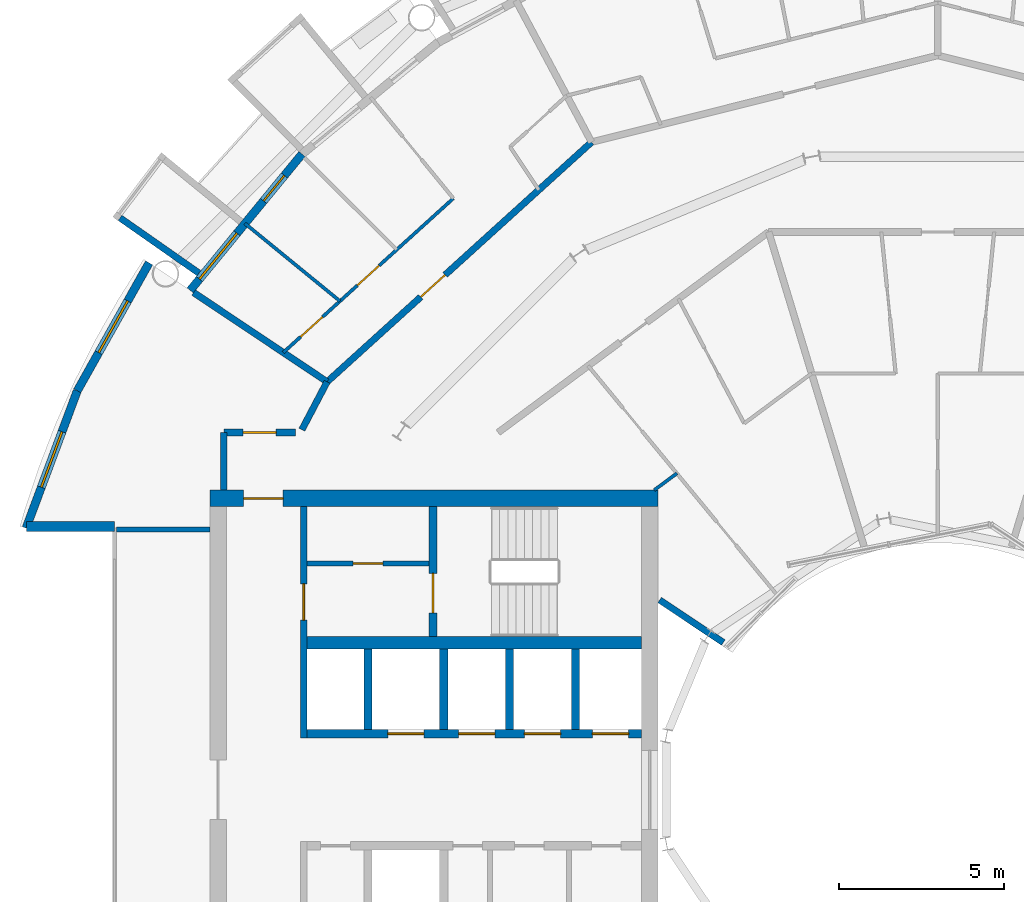
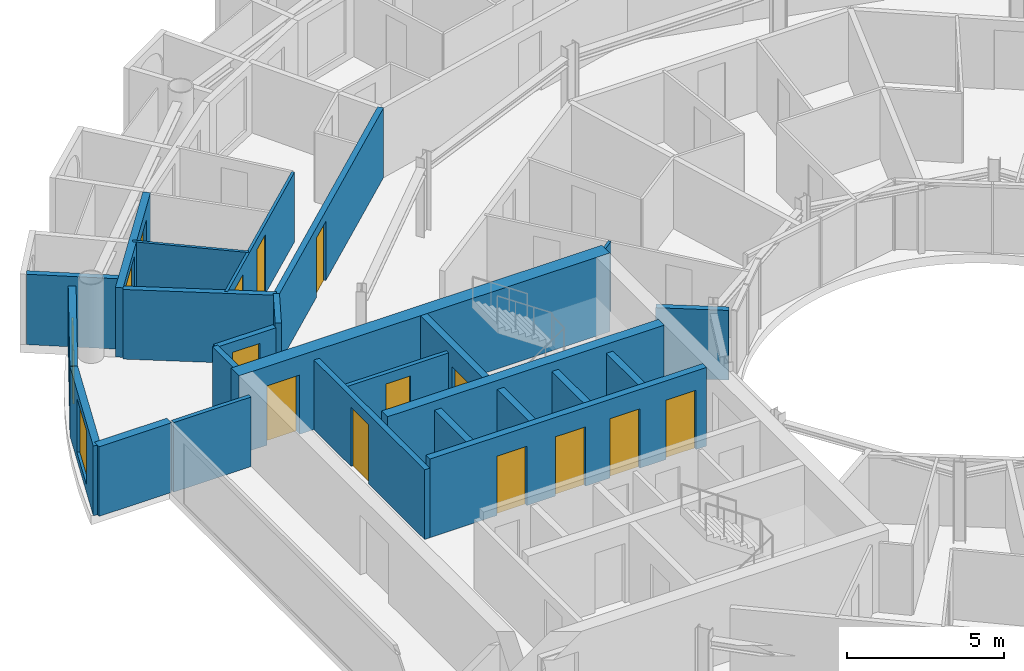
# One storey, part 19 of 26: 25 walls, 13 doors, 3 windows, 16 openings.
"""IFC4 building model written with IfcOpenShell, lengths in metres."""

from ifc_helpers import new_model, si_unit, direction, frame, frame_2d, origin, place, context, subcontext, project, spatial, rectangle, extrude, material, layer, layer_set, type_object, element, fill, save


model = new_model("IFC4")

# Units and contexts
model_context = context("Model", 3, precision=1e-05, world=origin(), true_north=direction((0.0, 1.0)))
body_context = subcontext(model_context, "Body", "Model", "MODEL_VIEW")
ifc_project = project(units=[si_unit("LENGTHUNIT", "METRE"), si_unit("AREAUNIT", "SQUARE_METRE"), si_unit("VOLUMEUNIT", "CUBIC_METRE"), si_unit("PLANEANGLEUNIT", "RADIAN"), si_unit("MASSUNIT", "GRAM", prefix="KILO")], contexts=[model_context])

# Site, building, storey
site_placement = place(None, origin())
site = spatial("IfcSite", under=ifc_project, at=site_placement, CompositionType="ELEMENT")
building_placement = place(site_placement, origin())
building = spatial("IfcBuilding", under=site, at=building_placement, Name="Maasbend Ring Residences", CompositionType="ELEMENT")
storey_placement = place(building_placement, frame((0.0, 0.0, 154.35009765625)))
storey = spatial("IfcBuildingStorey", under=building, at=storey_placement, Name="L44", CompositionType="ELEMENT", Elevation=154.35009765625)

# Wall, openings, doors
ifc_material_1 = material(Name="Concrete C60/75", Category="concrete")
ifc_layer_1 = layer(ifc_material_1, 0.25)
ifc_layer_set_1 = layer_set([ifc_layer_1], Name="Concrete C60/75")
wall_type_1 = type_object("IfcWallType", Name="CORE WALL 250 C60/75", PredefinedType="SHEAR", material=ifc_layer_set_1)
wall_1_placement = place(storey_placement, frame((-9.0, 1.699951171875, 0.0), z_axis=(0.0, 0.0, 1.0), x_axis=(-1.0, 0.0, 0.0)))
wall_1 = element("IfcWall", 1, at=wall_1_placement, inside=storey, type_object=wall_type_1, Name="L44 core W wall SPS", PredefinedType="SHEAR", context=body_context, shape_type="SweptSolid", body=[
    extrude(rectangle(XDim=10.14990234375, YDim=0.25, at=frame_2d((5.074951171875, 0.0))), origin(), (0.0, 0.0, 1.0), 3.0498046875),
])
opening_1_placement = place(wall_1_placement, frame((0.387451171875, 0.0, 0.0)))
opening_1 = element("IfcOpeningElement", 2, at=opening_1_placement, cuts=wall_1, Name="Opening LD-W4402", PredefinedType="OPENING", context=body_context, shape_type="SweptSolid", body=[
    extrude(rectangle(XDim=1.10009765625, YDim=2.300048828125, at=frame_2d((0.550048828125, 1.14990234375))), frame((0.0, 0.135009765625, 0.0), z_axis=(0.0, -1.0, 0.0), x_axis=(1.0, 0.0, 0.0)), (0.0, 0.0, 1.0), 0.27001953125),
])
opening_2_placement = place(wall_1_placement, frame((2.449951171875, 0.0, 0.0)))
opening_2 = element("IfcOpeningElement", 3, at=opening_2_placement, cuts=wall_1, Name="Opening LD-W4403", PredefinedType="OPENING", context=body_context, shape_type="SweptSolid", body=[
    extrude(rectangle(XDim=1.10009765625, YDim=2.300048828125, at=frame_2d((0.550048828125, 1.14990234375))), frame((0.0, 0.135009765625, 0.0), z_axis=(0.0, -1.0, 0.0), x_axis=(1.0, 0.0, 0.0)), (0.0, 0.0, 1.0), 0.27001953125),
])
opening_3_placement = place(wall_1_placement, frame((4.449951171875, 0.0, 0.0)))
opening_3 = element("IfcOpeningElement", 4, at=opening_3_placement, cuts=wall_1, Name="Opening LD-W4404", PredefinedType="OPENING", context=body_context, shape_type="SweptSolid", body=[
    extrude(rectangle(XDim=1.10009765625, YDim=2.300048828125, at=frame_2d((0.550048828125, 1.14990234375))), frame((0.0, 0.135009765625, 0.0), z_axis=(0.0, -1.0, 0.0), x_axis=(1.0, 0.0, 0.0)), (0.0, 0.0, 1.0), 0.27001953125),
])
opening_4_placement = place(wall_1_placement, frame((6.60009765625, 0.0, 0.0)))
opening_4 = element("IfcOpeningElement", 5, at=opening_4_placement, cuts=wall_1, Name="Opening LD-W4405", PredefinedType="OPENING", context=body_context, shape_type="SweptSolid", body=[
    extrude(rectangle(XDim=1.10009765625, YDim=2.300048828125, at=frame_2d((0.550048828125, 1.14990234375))), frame((0.0, 0.135009765625, 0.0), z_axis=(0.0, -1.0, 0.0), x_axis=(1.0, 0.0, 0.0)), (0.0, 0.0, 1.0), 0.27001953125),
])
ifc_material_2 = material(Name="Stainless steel 316", Category="steel")
door_type_1 = type_object("IfcDoorType", Name="LANDING DOOR 1100 X 2300 FD60", OperationType="DOUBLE_DOOR_SLIDING", PredefinedType="DOOR", material=ifc_material_2)
door_1_placement = place(opening_1_placement, origin())
door_1 = element("IfcDoor", 6, at=door_1_placement, inside=storey, type_object=door_type_1, Name="Landing door HR-W1 L44", OperationType="DOUBLE_DOOR_SLIDING", OverallHeight=2.300048828125, OverallWidth=1.10009765625, PredefinedType="DOOR", context=body_context, shape_type="SweptSolid", body=[
    extrude(rectangle(XDim=1.10009765625, YDim=2.300048828125, at=frame_2d((0.550048828125, 1.14990234375))), frame((0.0, 0.02490234375, 0.0), z_axis=(0.0, -1.0, 0.0), x_axis=(1.0, 0.0, 0.0)), (0.0, 0.0, 1.0), 0.050048828125),
])
fill(opening_1, door_1)
door_2_placement = place(opening_2_placement, origin())
door_2 = element("IfcDoor", 7, at=door_2_placement, inside=storey, type_object=door_type_1, Name="Landing door HR-W2 L44", OperationType="DOUBLE_DOOR_SLIDING", OverallHeight=2.300048828125, OverallWidth=1.10009765625, PredefinedType="DOOR", context=body_context, shape_type="SweptSolid", body=[
    extrude(rectangle(XDim=1.10009765625, YDim=2.300048828125, at=frame_2d((0.550048828125, 1.14990234375))), frame((0.0, 0.02490234375, 0.0), z_axis=(0.0, -1.0, 0.0), x_axis=(1.0, 0.0, 0.0)), (0.0, 0.0, 1.0), 0.050048828125),
])
fill(opening_2, door_2)
door_3_placement = place(opening_3_placement, origin())
door_3 = element("IfcDoor", 8, at=door_3_placement, inside=storey, type_object=door_type_1, Name="Landing door HR-W3 L44", OperationType="DOUBLE_DOOR_SLIDING", OverallHeight=2.300048828125, OverallWidth=1.10009765625, PredefinedType="DOOR", context=body_context, shape_type="SweptSolid", body=[
    extrude(rectangle(XDim=1.10009765625, YDim=2.300048828125, at=frame_2d((0.550048828125, 1.14990234375))), frame((0.0, 0.02490234375, 0.0), z_axis=(0.0, -1.0, 0.0), x_axis=(1.0, 0.0, 0.0)), (0.0, 0.0, 1.0), 0.050048828125),
])
fill(opening_3, door_3)
door_4_placement = place(opening_4_placement, origin())
door_4 = element("IfcDoor", 9, at=door_4_placement, inside=storey, type_object=door_type_1, Name="Landing door SV-W L44", OperationType="DOUBLE_DOOR_SLIDING", OverallHeight=2.300048828125, OverallWidth=1.10009765625, PredefinedType="DOOR", context=body_context, shape_type="SweptSolid", body=[
    extrude(rectangle(XDim=1.10009765625, YDim=2.300048828125, at=frame_2d((0.550048828125, 1.14990234375))), frame((0.0, 0.02490234375, 0.0), z_axis=(0.0, -1.0, 0.0), x_axis=(1.0, 0.0, 0.0)), (0.0, 0.0, 1.0), 0.050048828125),
])
fill(opening_4, door_4)

# Wall, opening, door
wall_2_placement = place(storey_placement, frame((-15.324951171875, 8.60009765625, 0.0), z_axis=(0.0, 0.0, 1.0), x_axis=(0.0, -1.0, 0.0)))
wall_2 = element("IfcWall", 10, at=wall_2_placement, inside=storey, type_object=wall_type_1, Name="L44 core W wall STES", PredefinedType="SHEAR", context=body_context, shape_type="SweptSolid", body=[
    extrude(rectangle(XDim=3.9501953125, YDim=0.25, at=frame_2d((1.97509765625, 0.0))), origin(), (0.0, 0.0, 1.0), 3.0498046875),
])
opening_5_placement = place(wall_2_placement, frame((2.02490234375, 0.0, 0.0)))
opening_5 = element("IfcOpeningElement", 11, at=opening_5_placement, cuts=wall_2, Name="Opening D-W4412", PredefinedType="OPENING", context=body_context, shape_type="SweptSolid", body=[
    extrude(rectangle(XDim=1.199951171875, YDim=2.300048828125, at=frame_2d((0.60009765625, 1.14990234375))), frame((0.0, 0.135009765625, 0.0), z_axis=(0.0, -1.0, 0.0), x_axis=(1.0, 0.0, 0.0)), (0.0, 0.0, 1.0), 0.27001953125),
])
ifc_material_3 = material(Name="Steel, powder coated", Category="steel")
door_type_2 = type_object("IfcDoorType", Name="STAIR DOOR 1200 X 2300 FD60", OperationType="NOTDEFINED", PredefinedType="DOOR", material=ifc_material_3)
door_5_placement = place(opening_5_placement, origin())
door_5 = element("IfcDoor", 12, at=door_5_placement, inside=storey, type_object=door_type_2, Name="Stair door ST-W L44", OperationType="SINGLE_SWING_LEFT", OverallHeight=2.300048828125, OverallWidth=1.199951171875, PredefinedType="DOOR", context=body_context, shape_type="SweptSolid", body=[
    extrude(rectangle(XDim=1.199951171875, YDim=2.300048828125, at=frame_2d((0.60009765625, 1.14990234375))), frame((0.0, 0.02490234375, 0.0), z_axis=(0.0, -1.0, 0.0), x_axis=(1.0, 0.0, 0.0)), (0.0, 0.0, 1.0), 0.050048828125),
])
fill(opening_5, door_5)

# Wall
ifc_material_4 = material(Name="Concrete C60/75", Category="concrete")
ifc_layer_2 = layer(ifc_material_4, 0.375)
ifc_layer_set_2 = layer_set([ifc_layer_2], Name="Concrete C60/75")
wall_type_2 = type_object("IfcWallType", Name="CORE WALL 375 C60/75", PredefinedType="SHEAR", material=ifc_layer_set_2)
wall_3_placement = place(storey_placement, frame((-9.0, 4.46240234375, 0.0), z_axis=(0.0, 0.0, 1.0), x_axis=(-1.0, 0.0, 0.0)))
element("IfcWall", 13, at=wall_3_placement, inside=storey, type_object=wall_type_2, Name="L44 core W wall BS", PredefinedType="SHEAR", context=body_context, shape_type="SweptSolid", body=[
    extrude(rectangle(XDim=10.14990234375, YDim=0.375, at=frame_2d((5.074951171875, 0.0))), origin(), (0.0, 0.0, 1.0), 3.0498046875),
])

# Wall, opening, door
ifc_material_5 = material(Name="Concrete C60/75", Category="concrete")
ifc_layer_3 = layer(ifc_material_5, 0.5)
ifc_layer_set_3 = layer_set([ifc_layer_3], Name="Concrete C60/75")
wall_type_3 = type_object("IfcWallType", Name="CORE WALL 500 C60/75", PredefinedType="SHEAR", material=ifc_layer_set_3)
wall_4_placement = place(storey_placement, frame((-8.5, 8.85009765625, 0.0), z_axis=(0.0, 0.0, 1.0), x_axis=(-1.0, 0.0, 0.0)))
wall_4 = element("IfcWall", 14, at=wall_4_placement, inside=storey, type_object=wall_type_3, Name="L44 core W wall PS", PredefinedType="SHEAR", context=body_context, shape_type="SweptSolid", body=[
    extrude(rectangle(XDim=13.60009765625, YDim=0.5, at=frame_2d((6.800048828125, 0.0))), origin(), (0.0, 0.0, 1.0), 3.0498046875),
])
opening_6_placement = place(wall_4_placement, frame((11.375, 0.0, 0.0)))
opening_6 = element("IfcOpeningElement", 15, at=opening_6_placement, cuts=wall_4, Name="Opening D-W4416", PredefinedType="OPENING", context=body_context, shape_type="SweptSolid", body=[
    extrude(rectangle(XDim=1.199951171875, YDim=2.300048828125, at=frame_2d((0.60009765625, 1.14990234375))), frame((0.0, 0.260009765625, 0.0), z_axis=(0.0, -1.0, 0.0), x_axis=(1.0, 0.0, 0.0)), (0.0, 0.0, 1.0), 0.52001953125),
])
ifc_material_6 = material(Name="Steel, powder coated", Category="steel")
door_type_3 = type_object("IfcDoorType", Name="CORRIDOR DOOR 1200 X 2300 FD30S", OperationType="NOTDEFINED", PredefinedType="DOOR", material=ifc_material_6)
door_6_placement = place(opening_6_placement, origin())
door_6 = element("IfcDoor", 16, at=door_6_placement, inside=storey, type_object=door_type_3, Name="Corridor door L44", OperationType="SINGLE_SWING_LEFT", OverallHeight=2.300048828125, OverallWidth=1.199951171875, PredefinedType="DOOR", context=body_context, shape_type="SweptSolid", body=[
    extrude(rectangle(XDim=1.199951171875, YDim=2.300048828125, at=frame_2d((0.60009765625, 1.14990234375))), frame((0.0, 0.02490234375, 0.0), z_axis=(0.0, -1.0, 0.0), x_axis=(1.0, 0.0, 0.0)), (0.0, 0.0, 1.0), 0.050048828125),
])
fill(opening_6, door_6)

ifc_material_7 = material(Name="Concrete C30/37", Category="concrete")
ifc_layer_4 = layer(ifc_material_7, 0.199951171875)
ifc_layer_set_4 = layer_set([ifc_layer_4], Name="Concrete C30/37")
wall_type_4 = type_object("IfcWallType", Name="CORRIDOR WALL 200 CONCRETE", PredefinedType="PARTITIONING", material=ifc_layer_set_4)
wall_5_placement = place(storey_placement, frame((-21.675048828125, 10.85009765625, 0.0), z_axis=(0.0, 0.0, 1.0), x_axis=(1.0, 0.0, 0.0)))
wall_5 = element("IfcWall", 17, at=wall_5_placement, inside=storey, type_object=wall_type_4, Name="U-L44-w091", PredefinedType="PARTITIONING", context=body_context, shape_type="SweptSolid", body=[
    extrude(rectangle(XDim=2.171142578125, YDim=0.199951171875, at=frame_2d((1.08544921875, 0.0))), origin(), (0.0, 0.0, 1.0), 2.699951171875),
])
opening_7_placement = place(wall_5_placement, frame((0.5849609375, 0.0, 0.0)))
opening_7 = element("IfcOpeningElement", 18, at=opening_7_placement, cuts=wall_5, Name="Opening D-4465", PredefinedType="OPENING", context=body_context, shape_type="SweptSolid", body=[
    extrude(rectangle(XDim=1.0, YDim=2.300048828125, at=frame_2d((0.5, 1.14990234375))), frame((0.0, 0.10986328125, 0.0), z_axis=(0.0, -1.0, 0.0), x_axis=(1.0, 0.0, 0.0)), (0.0, 0.0, 1.0), 0.219970703125),
])
ifc_material_8 = material(Name="Timber, painted", Category="wood")
door_type_4 = type_object("IfcDoorType", Name="ROOM DOOR 1000 X 2300", OperationType="NOTDEFINED", PredefinedType="DOOR", material=ifc_material_8)
door_7_placement = place(opening_7_placement, origin())
door_7 = element("IfcDoor", 19, at=door_7_placement, inside=storey, type_object=door_type_4, Name="D-4465", OperationType="SINGLE_SWING_LEFT", OverallHeight=2.300048828125, OverallWidth=1.0, PredefinedType="DOOR", context=body_context, shape_type="SweptSolid", body=[
    extrude(rectangle(XDim=1.0, YDim=2.300048828125, at=frame_2d((0.5, 1.14990234375))), frame((0.0, 0.02490234375, 0.0), z_axis=(0.0, -1.0, 0.0), x_axis=(1.0, 0.0, 0.0)), (0.0, 0.0, 1.0), 0.050048828125),
])
fill(opening_7, door_7)

wall_6_placement = place(storey_placement, frame((-18.5439453125, 12.385009765625, 0.0), z_axis=(0.0, 0.0, 1.0), x_axis=(0.740849323054, 0.67167125927, 0.0)))
wall_6 = element("IfcWall", 20, at=wall_6_placement, inside=storey, type_object=wall_type_4, Name="U-L44-w102", PredefinedType="PARTITIONING", context=body_context, shape_type="SweptSolid", body=[
    extrude(rectangle(XDim=10.841552734375, YDim=0.199951171875, at=frame_2d((5.4208984375, 0.0))), origin(), (0.0, 0.0, 1.0), 2.699951171875),
])
opening_8_placement = place(wall_6_placement, frame((3.839111328125, 0.0, 0.0)))
opening_8 = element("IfcOpeningElement", 21, at=opening_8_placement, cuts=wall_6, Name="Opening D-4416", PredefinedType="OPENING", context=body_context, shape_type="SweptSolid", body=[
    extrude(rectangle(XDim=1.0, YDim=2.300048828125, at=frame_2d((0.5, 1.14990234375))), frame((0.0, 0.10986328125, 0.0), z_axis=(0.0, -1.0, 0.0), x_axis=(1.0, 0.0, 0.0)), (0.0, 0.0, 1.0), 0.219970703125),
])
ifc_material_9 = material(Name="Timber, fire-rated, painted", Category="wood")
door_type_5 = type_object("IfcDoorType", Name="FLAT ENTRANCE DOOR 1000 X 2300 FIRE-RATED", OperationType="NOTDEFINED", PredefinedType="DOOR", material=ifc_material_9)
door_8_placement = place(opening_8_placement, origin())
door_8 = element("IfcDoor", 22, at=door_8_placement, inside=storey, type_object=door_type_5, Name="D-4416", OperationType="SINGLE_SWING_LEFT", OverallHeight=2.300048828125, OverallWidth=1.0, PredefinedType="DOOR", context=body_context, shape_type="SweptSolid", body=[
    extrude(rectangle(XDim=1.0, YDim=2.300048828125, at=frame_2d((0.5, 1.14990234375))), frame((0.0, 0.02490234375, 0.0), z_axis=(0.0, -1.0, 0.0), x_axis=(1.0, 0.0, 0.0)), (0.0, 0.0, 1.0), 0.050048828125),
])
fill(opening_8, door_8)

# Walls
wall_7_placement = place(storey_placement, frame((-21.675048828125, 9.10009765625, 0.0), z_axis=(0.0, 0.0, 1.0), x_axis=(0.0, 1.0, 0.0)))
element("IfcWall", 23, at=wall_7_placement, inside=storey, type_object=wall_type_4, Name="U-L44-w107", PredefinedType="PARTITIONING", context=body_context, shape_type="SweptSolid", body=[
    extrude(rectangle(XDim=1.75, YDim=0.199951171875, at=frame_2d((0.875, 0.0))), origin(), (0.0, 0.0, 1.0), 2.699951171875),
])
wall_8_placement = place(storey_placement, frame((-19.306884765625, 10.93505859375, 0.0), z_axis=(0.0, 0.0, 1.0), x_axis=(0.465605550524, 0.884992356646, 0.0)))
element("IfcWall", 24, at=wall_8_placement, inside=storey, type_object=wall_type_4, Name="U-L44-w108", PredefinedType="PARTITIONING", context=body_context, shape_type="SweptSolid", body=[
    extrude(rectangle(XDim=1.642822265625, YDim=0.199951171875, at=frame_2d((0.8212890625, 0.0))), origin(), (0.0, 0.0, 1.0), 2.699951171875),
])
ifc_material_10 = material(Name="Pale anodised aluminium panel", Category="aluminium")
ifc_layer_5 = layer(ifc_material_10, 0.199951171875)
ifc_layer_set_5 = layer_set([ifc_layer_5], Name="EW-BOX")
wall_type_5 = type_object("IfcWallType", Name="EW-BOX", PredefinedType="SOLIDWALL", material=ifc_layer_set_5)
wall_9_placement = place(storey_placement, frame((-22.43310546875, 15.68798828125, -0.030029296875), z_axis=(0.0, 0.0, 1.0), x_axis=(-0.819373043115, 0.573260687834, 0.0)))
element("IfcWall", 25, at=wall_9_placement, inside=storey, type_object=wall_type_5, Name="Box side wall N20 right", PredefinedType="SOLIDWALL", context=body_context, shape_type="SweptSolid", body=[
    extrude(rectangle(XDim=2.92529296875, YDim=0.199951171875, at=frame_2d((1.462646484375, 0.0))), origin(), (0.0, 0.0, 1.0), 2.72998046875),
])

# Wall, openings, door, window
ifc_material_11 = material(Name="Aluminium clad insulated panel", Category="aluminium")
ifc_layer_6 = layer(ifc_material_11, 0.25)
ifc_layer_set_6 = layer_set([ifc_layer_6], Name="EW-GL")
wall_type_6 = type_object("IfcWallType", Name="EW-GL", PredefinedType="SOLIDWALL", material=ifc_layer_set_6)
wall_10_placement = place(storey_placement, frame((-19.303955078125, 19.303955078125, 0.0), z_axis=(0.0, 0.0, 1.0), x_axis=(-0.634382322723, -0.773019449054, 0.0)))
wall_10 = element("IfcWall", 26, at=wall_10_placement, inside=storey, type_object=wall_type_6, Name="External wall N10", PredefinedType="SOLIDWALL", context=body_context, shape_type="SweptSolid", body=[
    extrude(rectangle(XDim=5.351806640625, YDim=0.25, at=frame_2d((2.67578125, 0.0))), origin(), (0.0, 0.0, 1.0), 2.699951171875),
])
opening_9_placement = place(wall_10_placement, frame((0.841064453125, 0.0, 0.0)))
opening_9 = element("IfcOpeningElement", 27, at=opening_9_placement, cuts=wall_10, Name="Opening D-LG", PredefinedType="OPENING", context=body_context, shape_type="SweptSolid", body=[
    extrude(rectangle(XDim=1.0, YDim=2.199951171875, at=frame_2d((0.5, 1.10009765625))), frame((0.0, 0.135009765625, 0.0), z_axis=(0.0, -1.0, 0.0), x_axis=(1.0, 0.0, 0.0)), (0.0, 0.0, 1.0), 0.27001953125),
])
opening_10_placement = place(wall_10_placement, frame((3.110595703125, 0.0, 0.300048828125)))
opening_10 = element("IfcOpeningElement", 28, at=opening_10_placement, cuts=wall_10, Name="Opening W-BX", PredefinedType="OPENING", context=body_context, shape_type="SweptSolid", body=[
    extrude(rectangle(XDim=1.800048828125, YDim=2.10009765625, at=frame_2d((0.89990234375, 1.050048828125))), frame((0.0, 0.135009765625, 0.0), z_axis=(0.0, -1.0, 0.0), x_axis=(1.0, 0.0, 0.0)), (0.0, 0.0, 1.0), 0.27001953125),
])
ifc_material_12 = material(Name="Aluminium and clear glass", Category="aluminium")
door_type_6 = type_object("IfcDoorType", Name="D-LG", OperationType="SINGLE_SWING_LEFT", PredefinedType="DOOR", material=ifc_material_12)
door_9_placement = place(opening_9_placement, origin())
door_9 = element("IfcDoor", 29, at=door_9_placement, inside=storey, type_object=door_type_6, Name="Loggia door N19", OperationType="SINGLE_SWING_LEFT", OverallHeight=2.199951171875, OverallWidth=1.0, PredefinedType="DOOR", context=body_context, shape_type="SweptSolid", body=[
    extrude(rectangle(XDim=1.0, YDim=2.199951171875, at=frame_2d((0.5, 1.10009765625))), frame((0.0, 0.02490234375, 0.0), z_axis=(0.0, -1.0, 0.0), x_axis=(1.0, 0.0, 0.0)), (0.0, 0.0, 1.0), 0.050048828125),
])
fill(opening_9, door_9)
ifc_material_13 = material(Name="Aluminium and clear glass", Category="aluminium")
window_type = type_object("IfcWindowType", Name="W-BX", PartitioningType="DOUBLE_PANEL_VERTICAL", PredefinedType="WINDOW", material=ifc_material_13)
window_1_placement = place(opening_10_placement, origin())
window_1 = element("IfcWindow", 30, at=window_1_placement, inside=storey, type_object=window_type, Name="Window N20 room to box", OverallHeight=2.10009765625, OverallWidth=1.800048828125, PartitioningType="SINGLE_PANEL", PredefinedType="WINDOW", context=body_context, shape_type="SweptSolid", body=[
    extrude(rectangle(XDim=1.800048828125, YDim=2.10009765625, at=frame_2d((0.89990234375, 1.050048828125))), frame((0.0, 0.030029296875, 0.0), z_axis=(0.0, -1.0, 0.0), x_axis=(1.0, 0.0, 0.0)), (0.0, 0.0, 1.0), 0.06005859375),
])
fill(opening_10, window_1)

# Wall, opening, window
ifc_material_14 = material(Name="Aluminium clad insulated panel", Category="aluminium")
ifc_layer_7 = layer(ifc_material_14, 0.25)
ifc_layer_set_7 = layer_set([ifc_layer_7], Name="EW-HORN")
wall_type_7 = type_object("IfcWallType", Name="EW-HORN", PredefinedType="SOLIDWALL", material=ifc_layer_set_7)
wall_11_placement = place(storey_placement, frame((-23.946044921875, 16.0, 0.0), z_axis=(0.0, 0.0, 1.0), x_axis=(-0.489696356642, -0.871893042919, 0.0)))
wall_11 = element("IfcWall", 31, at=wall_11_placement, inside=storey, type_object=wall_type_7, Name="Horn wall 4.1", PredefinedType="SOLIDWALL", context=body_context, shape_type="SweptSolid", body=[
    extrude(rectangle(XDim=4.45361328125, YDim=0.25, at=frame_2d((2.226806640625, 0.0))), origin(), (0.0, 0.0, 1.0), 2.699951171875),
])
opening_11_placement = place(wall_11_placement, frame((1.32666015625, 0.0, 0.300048828125)))
opening_11 = element("IfcOpeningElement", 32, at=opening_11_placement, cuts=wall_11, Name="Opening W-BX", PredefinedType="OPENING", context=body_context, shape_type="SweptSolid", body=[
    extrude(rectangle(XDim=1.800048828125, YDim=2.10009765625, at=frame_2d((0.89990234375, 1.050048828125))), frame((0.0, 0.135009765625, 0.0), z_axis=(0.0, -1.0, 0.0), x_axis=(1.0, 0.0, 0.0)), (0.0, 0.0, 1.0), 0.27001953125),
])
window_2_placement = place(opening_11_placement, origin())
window_2 = element("IfcWindow", 33, at=window_2_placement, inside=storey, type_object=window_type, Name="Horn window 4.1", OverallHeight=2.10009765625, OverallWidth=1.800048828125, PartitioningType="SINGLE_PANEL", PredefinedType="WINDOW", context=body_context, shape_type="SweptSolid", body=[
    extrude(rectangle(XDim=1.800048828125, YDim=2.10009765625, at=frame_2d((0.89990234375, 1.050048828125))), frame((0.0, 0.030029296875, 0.0), z_axis=(0.0, -1.0, 0.0), x_axis=(1.0, 0.0, 0.0)), (0.0, 0.0, 1.0), 0.06005859375),
])
fill(opening_11, window_2)

wall_12_placement = place(storey_placement, frame((-26.126953125, 12.116943359375, 0.0), z_axis=(0.0, 0.0, 1.0), x_axis=(-0.349247811493, -0.937030397675, 0.0)))
wall_12 = element("IfcWall", 34, at=wall_12_placement, inside=storey, type_object=wall_type_7, Name="Horn wall 4.2", PredefinedType="SOLIDWALL", context=body_context, shape_type="SweptSolid", body=[
    extrude(rectangle(XDim=4.4521484375, YDim=0.25, at=frame_2d((2.22607421875, 0.0))), origin(), (0.0, 0.0, 1.0), 2.699951171875),
])
opening_12_placement = place(wall_12_placement, frame((1.32666015625, 0.0, 0.300048828125)))
opening_12 = element("IfcOpeningElement", 35, at=opening_12_placement, cuts=wall_12, Name="Opening W-BX", PredefinedType="OPENING", context=body_context, shape_type="SweptSolid", body=[
    extrude(rectangle(XDim=1.800048828125, YDim=2.10009765625, at=frame_2d((0.89990234375, 1.050048828125))), frame((0.0, 0.135009765625, 0.0), z_axis=(0.0, -1.0, 0.0), x_axis=(1.0, 0.0, 0.0)), (0.0, 0.0, 1.0), 0.27001953125),
])
window_3_placement = place(opening_12_placement, origin())
window_3 = element("IfcWindow", 36, at=window_3_placement, inside=storey, type_object=window_type, Name="Horn window 4.2", OverallHeight=2.10009765625, OverallWidth=1.800048828125, PartitioningType="SINGLE_PANEL", PredefinedType="WINDOW", context=body_context, shape_type="SweptSolid", body=[
    extrude(rectangle(XDim=1.800048828125, YDim=2.10009765625, at=frame_2d((0.89990234375, 1.050048828125))), frame((0.0, 0.030029296875, 0.0), z_axis=(0.0, -1.0, 0.0), x_axis=(1.0, 0.0, 0.0)), (0.0, 0.0, 1.0), 0.06005859375),
])
fill(opening_12, window_3)

# Walls
ifc_material_15 = material(Name="Aluminium clad insulated panel", Category="aluminium")
ifc_layer_8 = layer(ifc_material_15, 0.300048828125)
ifc_layer_set_8 = layer_set([ifc_layer_8], Name="EW-RET")
wall_type_8 = type_object("IfcWallType", Name="EW-RET", PredefinedType="SOLIDWALL", material=ifc_layer_set_8)
wall_13_placement = place(storey_placement, frame((-25.0, 8.0, 0.0), z_axis=(0.0, 0.0, 1.0), x_axis=(-1.0, 0.0, 0.0)))
element("IfcWall", 37, at=wall_13_placement, inside=storey, type_object=wall_type_8, Name="Notch return wall west north", PredefinedType="SOLIDWALL", context=body_context, shape_type="SweptSolid", body=[
    extrude(rectangle(XDim=2.6669921875, YDim=0.300048828125, at=frame_2d((1.33349609375, 0.0))), origin(), (0.0, 0.0, 1.0), 2.699951171875),
])
ifc_material_16 = material(Name="Gypsum board on steel studs", Category="steel")
ifc_layer_9 = layer(ifc_material_16, 0.10009765625)
ifc_layer_set_9 = layer_set([ifc_layer_9], Name="PARTITION 100 GYPSUM")
wall_type_9 = type_object("IfcWallType", Name="PARTITION 100 GYPSUM", PredefinedType="PARTITIONING", material=ifc_layer_set_9)
wall_14_placement = place(storey_placement, frame((-21.0400390625, 17.198974609375, 0.0), z_axis=(0.0, 0.0, 1.0), x_axis=(0.774321581607, -0.63279229472, 0.0)))
element("IfcWall", 38, at=wall_14_placement, inside=storey, type_object=wall_type_9, Name="U-L44-w037", PredefinedType="PARTITIONING", context=body_context, shape_type="SweptSolid", body=[
    extrude(rectangle(XDim=3.731201171875, YDim=0.10009765625, at=frame_2d((1.86572265625, 0.0))), origin(), (0.0, 0.0, 1.0), 2.699951171875),
])
wall_15_placement = place(storey_placement, frame((-8.60693359375, 9.10009765625, 0.0), z_axis=(0.0, 0.0, 1.0), x_axis=(0.803199066515, 0.595710718007, 0.0)))
element("IfcWall", 39, at=wall_15_placement, inside=storey, type_object=wall_type_9, Name="U-L44-w093", PredefinedType="PARTITIONING", context=body_context, shape_type="SweptSolid", body=[
    extrude(rectangle(XDim=0.857666015625, YDim=0.10009765625, at=frame_2d((0.4287109375, 0.0))), origin(), (0.0, 0.0, 1.0), 2.699951171875),
])

# Wall, openings, doors
wall_16_placement = place(storey_placement, frame((-19.8720703125, 13.278076171875, 0.0), z_axis=(0.0, 0.0, 1.0), x_axis=(0.740923753351, 0.671589153962, 0.0)))
wall_16 = element("IfcWall", 40, at=wall_16_placement, inside=storey, type_object=wall_type_9, Name="U-L44-w110", PredefinedType="PARTITIONING", context=body_context, shape_type="SweptSolid", body=[
    extrude(rectangle(XDim=6.968505859375, YDim=0.10009765625, at=frame_2d((3.484375, 0.0))), origin(), (0.0, 0.0, 1.0), 2.699951171875),
])
opening_13_placement = place(wall_16_placement, frame((3.033935546875, 0.0, 0.0)))
opening_13 = element("IfcOpeningElement", 41, at=opening_13_placement, cuts=wall_16, Name="Opening D-4419", PredefinedType="OPENING", context=body_context, shape_type="SweptSolid", body=[
    extrude(rectangle(XDim=0.89990234375, YDim=2.300048828125, at=frame_2d((0.449951171875, 1.14990234375))), frame((0.0, 0.06005859375, 0.0), z_axis=(0.0, -1.0, 0.0), x_axis=(1.0, 0.0, 0.0)), (0.0, 0.0, 1.0), 0.1201171875),
])
opening_14_placement = place(wall_16_placement, frame((0.7109375, 0.0, 0.0)))
opening_14 = element("IfcOpeningElement", 42, at=opening_14_placement, cuts=wall_16, Name="Opening D-4420", PredefinedType="OPENING", context=body_context, shape_type="SweptSolid", body=[
    extrude(rectangle(XDim=0.89990234375, YDim=2.300048828125, at=frame_2d((0.449951171875, 1.14990234375))), frame((0.0, 0.06005859375, 0.0), z_axis=(0.0, -1.0, 0.0), x_axis=(1.0, 0.0, 0.0)), (0.0, 0.0, 1.0), 0.1201171875),
])
ifc_material_17 = material(Name="Timber, painted", Category="wood")
door_type_7 = type_object("IfcDoorType", Name="INTERNAL DOOR 900 X 2300", OperationType="NOTDEFINED", PredefinedType="DOOR", material=ifc_material_17)
door_10_placement = place(opening_13_placement, origin())
door_10 = element("IfcDoor", 43, at=door_10_placement, inside=storey, type_object=door_type_7, Name="D-4419", OperationType="SINGLE_SWING_RIGHT", OverallHeight=2.300048828125, OverallWidth=0.89990234375, PredefinedType="DOOR", context=body_context, shape_type="SweptSolid", body=[
    extrude(rectangle(XDim=0.89990234375, YDim=2.300048828125, at=frame_2d((0.449951171875, 1.14990234375))), frame((0.0, 0.02490234375, 0.0), z_axis=(0.0, -1.0, 0.0), x_axis=(1.0, 0.0, 0.0)), (0.0, 0.0, 1.0), 0.050048828125),
])
fill(opening_13, door_10)
door_11_placement = place(opening_14_placement, origin())
door_11 = element("IfcDoor", 44, at=door_11_placement, inside=storey, type_object=door_type_7, Name="D-4420", OperationType="SINGLE_SWING_LEFT", OverallHeight=2.300048828125, OverallWidth=0.89990234375, PredefinedType="DOOR", context=body_context, shape_type="SweptSolid", body=[
    extrude(rectangle(XDim=0.89990234375, YDim=2.300048828125, at=frame_2d((0.449951171875, 1.14990234375))), frame((0.0, 0.02490234375, 0.0), z_axis=(0.0, -1.0, 0.0), x_axis=(1.0, 0.0, 0.0)), (0.0, 0.0, 1.0), 0.050048828125),
])
fill(opening_14, door_11)

# Wall, opening, door
ifc_material_18 = material(Name="Gypsum board on steel studs", Category="steel")
ifc_layer_10 = layer(ifc_material_18, 0.14990234375)
ifc_layer_set_10 = layer_set([ifc_layer_10], Name="PARTITION 150 EI 60")
wall_type_10 = type_object("IfcWallType", Name="PARTITION 150 EI 60", PredefinedType="PARTITIONING", material=ifc_layer_set_10)
wall_17_placement = place(storey_placement, frame((-15.449951171875, 6.875, 0.0), z_axis=(0.0, 0.0, 1.0), x_axis=(-1.0, 0.0, 0.0)))
wall_17 = element("IfcWall", 45, at=wall_17_placement, inside=storey, type_object=wall_type_10, Name="L44 core W wall RHS", PredefinedType="PARTITIONING", context=body_context, shape_type="SweptSolid", body=[
    extrude(rectangle(XDim=3.699951171875, YDim=0.14990234375, at=frame_2d((1.85009765625, 0.0))), origin(), (0.0, 0.0, 1.0), 2.699951171875),
])
opening_15_placement = place(wall_17_placement, frame((1.39990234375, 0.0, 0.0)))
opening_15 = element("IfcOpeningElement", 46, at=opening_15_placement, cuts=wall_17, Name="Opening D-W4410", PredefinedType="OPENING", context=body_context, shape_type="SweptSolid", body=[
    extrude(rectangle(XDim=0.89990234375, YDim=2.300048828125, at=frame_2d((0.449951171875, 1.14990234375))), frame((0.0, 0.0849609375, 0.0), z_axis=(0.0, -1.0, 0.0), x_axis=(1.0, 0.0, 0.0)), (0.0, 0.0, 1.0), 0.169921875),
])
ifc_material_19 = material(Name="Steel, powder coated", Category="steel")
door_type_8 = type_object("IfcDoorType", Name="RISER DOOR 900 X 2300 FD60", OperationType="NOTDEFINED", PredefinedType="DOOR", material=ifc_material_19)
door_12_placement = place(opening_15_placement, origin())
door_12 = element("IfcDoor", 47, at=door_12_placement, inside=storey, type_object=door_type_8, Name="Riser door L44", OperationType="SINGLE_SWING_LEFT", OverallHeight=2.300048828125, OverallWidth=0.89990234375, PredefinedType="DOOR", context=body_context, shape_type="SweptSolid", body=[
    extrude(rectangle(XDim=0.89990234375, YDim=2.300048828125, at=frame_2d((0.449951171875, 1.14990234375))), frame((0.0, 0.02490234375, 0.0), z_axis=(0.0, -1.0, 0.0), x_axis=(1.0, 0.0, 0.0)), (0.0, 0.0, 1.0), 0.050048828125),
])
fill(opening_15, door_12)

# Walls
wall_18_placement = place(storey_placement, frame((-22.10009765625, 7.89990234375, 0.0), z_axis=(0.0, 0.0, 1.0), x_axis=(-1.0, 0.0, 0.0)))
element("IfcWall", 48, at=wall_18_placement, inside=storey, type_object=wall_type_10, Name="L44 core W wall CITS", PredefinedType="PARTITIONING", context=body_context, shape_type="SweptSolid", body=[
    extrude(rectangle(XDim=2.83984375, YDim=0.14990234375, at=frame_2d((1.419921875, 0.0))), origin(), (0.0, 0.0, 1.0), 2.699951171875),
])
ifc_material_20 = material(Name="Concrete C30/37", Category="concrete")
ifc_layer_11 = layer(ifc_material_20, 0.199951171875)
ifc_layer_set_11 = layer_set([ifc_layer_11], Name="Concrete C30/37")
wall_type_11 = type_object("IfcWallType", Name="PARTY WALL 200 CONCRETE", PredefinedType="PARTITIONING", material=ifc_layer_set_11)
wall_19_placement = place(storey_placement, frame((-22.594970703125, 15.097900390625, 0.0), z_axis=(0.0, 0.0, 1.0), x_axis=(0.831387096605, -0.55569370664, 0.0)))
element("IfcWall", 49, at=wall_19_placement, inside=storey, type_object=wall_type_11, Name="U-L44-w035", PredefinedType="PARTITIONING", context=body_context, shape_type="SweptSolid", body=[
    extrude(rectangle(XDim=4.875, YDim=0.199951171875, at=frame_2d((2.4375, 0.0))), origin(), (0.0, 0.0, 1.0), 2.699951171875),
])
wall_20_placement = place(storey_placement, frame((-6.512939453125, 4.471923828125, 0.0), z_axis=(0.0, 0.0, 1.0), x_axis=(-0.83133816625, 0.555766905579, 0.0)))
element("IfcWall", 50, at=wall_20_placement, inside=storey, type_object=wall_type_11, Name="U-L44-w089", PredefinedType="PARTITIONING", context=body_context, shape_type="SweptSolid", body=[
    extrude(rectangle(XDim=2.322998046875, YDim=0.199951171875, at=frame_2d((1.16162109375, 0.0))), origin(), (0.0, 0.0, 1.0), 2.699951171875),
])

# Wall, opening, door
ifc_material_21 = material(Name="Concrete C30/37", Category="concrete")
ifc_layer_12 = layer(ifc_material_21, 0.199951171875)
ifc_layer_set_12 = layer_set([ifc_layer_12], Name="Concrete C30/37")
wall_type_12 = type_object("IfcWallType", Name="SHAFT WALL 200 EI 120", PredefinedType="SOLIDWALL", material=ifc_layer_set_12)
wall_21_placement = place(storey_placement, frame((-19.25, 8.60009765625, 0.0), z_axis=(0.0, 0.0, 1.0), x_axis=(0.0, -1.0, 0.0)))
wall_21 = element("IfcWall", 51, at=wall_21_placement, inside=storey, type_object=wall_type_12, Name="L44 core W wall ENDS", PredefinedType="SOLIDWALL", context=body_context, shape_type="SweptSolid", body=[
    extrude(rectangle(XDim=7.025146484375, YDim=0.199951171875, at=frame_2d((3.5126953125, 0.0))), origin(), (0.0, 0.0, 1.0), 2.699951171875),
])
opening_16_placement = place(wall_21_placement, frame((2.35009765625, 0.0, 0.0)))
opening_16 = element("IfcOpeningElement", 52, at=opening_16_placement, cuts=wall_21, Name="Opening D-W4414", PredefinedType="OPENING", context=body_context, shape_type="SweptSolid", body=[
    extrude(rectangle(XDim=1.10009765625, YDim=2.300048828125, at=frame_2d((0.550048828125, 1.14990234375))), frame((0.0, 0.10986328125, 0.0), z_axis=(0.0, -1.0, 0.0), x_axis=(1.0, 0.0, 0.0)), (0.0, 0.0, 1.0), 0.219970703125),
])
ifc_material_22 = material(Name="Steel, powder coated", Category="steel")
door_type_9 = type_object("IfcDoorType", Name="LOBBY DOOR 1100 X 2300 FD60", OperationType="NOTDEFINED", PredefinedType="DOOR", material=ifc_material_22)
door_13_placement = place(opening_16_placement, origin())
door_13 = element("IfcDoor", 53, at=door_13_placement, inside=storey, type_object=door_type_9, Name="Lobby door L44", OperationType="SINGLE_SWING_RIGHT", OverallHeight=2.300048828125, OverallWidth=1.10009765625, PredefinedType="DOOR", context=body_context, shape_type="SweptSolid", body=[
    extrude(rectangle(XDim=1.10009765625, YDim=2.300048828125, at=frame_2d((0.550048828125, 1.14990234375))), frame((0.0, 0.02490234375, 0.0), z_axis=(0.0, -1.0, 0.0), x_axis=(1.0, 0.0, 0.0)), (0.0, 0.0, 1.0), 0.050048828125),
])
fill(opening_16, door_13)

# Walls
ifc_material_23 = material(Name="Concrete C30/37", Category="concrete")
ifc_layer_13 = layer(ifc_material_23, 0.25)
ifc_layer_set_13 = layer_set([ifc_layer_13], Name="Concrete C30/37")
wall_type_13 = type_object("IfcWallType", Name="SHAFT WALL 250 EI 120", PredefinedType="SOLIDWALL", material=ifc_layer_set_13)
for number, where, z_axis, x_axis, name in (
    (54, (-15.0, 1.824951171875, 0.0), (0.0, 0.0, 1.0), (0.0, 1.0, 0.0), "L44 core W wall D150S"),
    (55, (-17.300048828125, 1.824951171875, 0.0), (0.0, 0.0, 1.0), (0.0, 1.0, 0.0), "L44 core W wall D173S"),
    (56, (-11.0, 1.824951171875, 0.0), (0.0, 0.0, 1.0), (0.0, 1.0, 0.0), "L44 core W wall D110S"),
    (57, (-13.0, 1.824951171875, 0.0), (0.0, 0.0, 1.0), (0.0, 1.0, 0.0), "L44 core W wall D130S"),
):
    element("IfcWall", number, at=place(storey_placement, frame(where, z_axis=z_axis, x_axis=x_axis)), inside=storey, type_object=wall_type_13, Name=name, PredefinedType="SOLIDWALL", context=body_context, shape_type="SweptSolid", body=[
        extrude(rectangle(XDim=2.449951171875, YDim=0.25, at=frame_2d((1.22509765625, 0.0))), origin(), (0.0, 0.0, 1.0), 2.699951171875),
    ])

save(model, "model.ifc")
